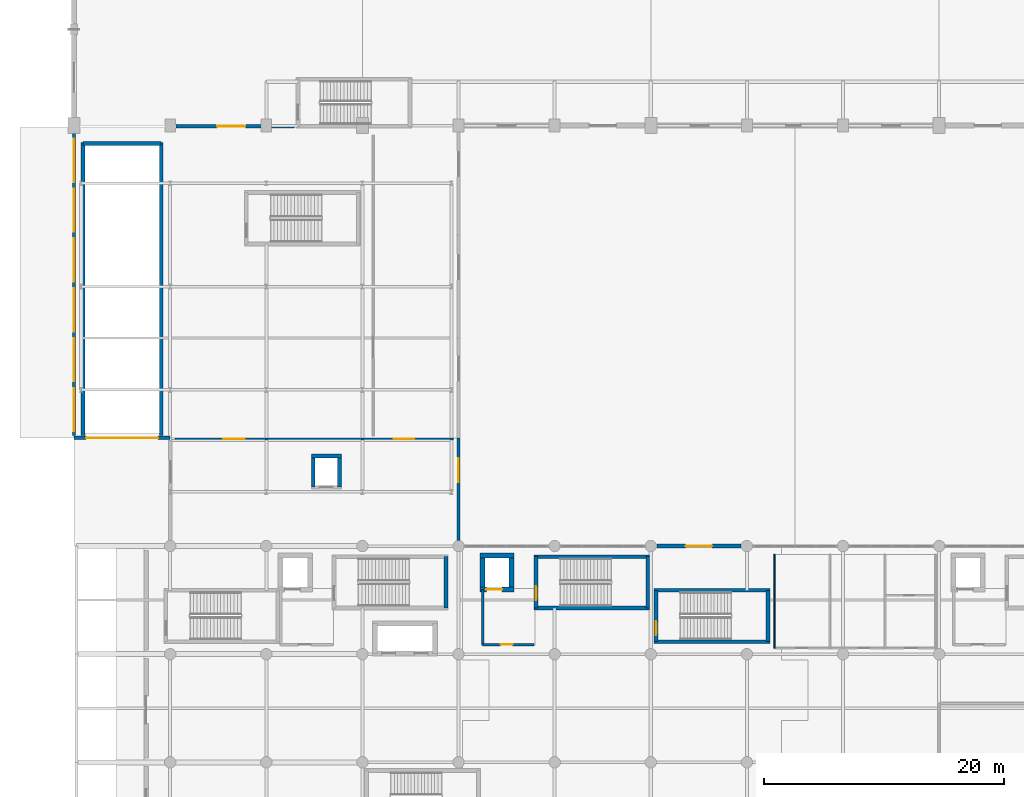
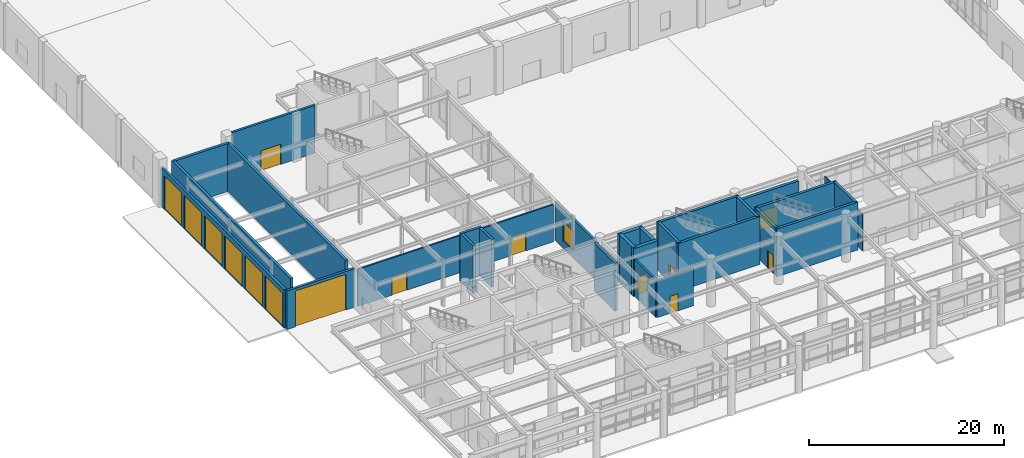
# One storey, part 29 of 49: 28 walls, 15 doors, 1 window, 16 openings.
"""IFC4 building model written with IfcOpenShell, lengths in metres."""

from ifc_helpers import new_model, si_unit, direction, frame, frame_2d, origin, place, context, subcontext, project, spatial, rectangle, extrude, material, layer, layer_set, type_object, element, fill, save


model = new_model("IFC4")

# Units and contexts
model_context = context("Model", 3, precision=1e-05, world=origin(), true_north=direction((0.0, 1.0)))
body_context = subcontext(model_context, "Body", "Model", "MODEL_VIEW")
ifc_project = project(units=[si_unit("LENGTHUNIT", "METRE"), si_unit("AREAUNIT", "SQUARE_METRE"), si_unit("VOLUMEUNIT", "CUBIC_METRE"), si_unit("PLANEANGLEUNIT", "RADIAN"), si_unit("MASSUNIT", "GRAM", prefix="KILO")], contexts=[model_context])

# Site, building, storey
site_placement = place(None, origin())
site = spatial("IfcSite", under=ifc_project, at=site_placement, CompositionType="ELEMENT")
building_placement = place(site_placement, origin())
building = spatial("IfcBuilding", under=site, at=building_placement, Name="Tlacozan Convention Centre", CompositionType="ELEMENT")
storey_placement = place(building_placement, origin())
storey = spatial("IfcBuildingStorey", under=building, at=storey_placement, Name="L00", CompositionType="ELEMENT", Elevation=0.0)

# Wall, opening, door
ifc_material_1 = material(Name="Concrete C40/50", Category="concrete")
ifc_layer_1 = layer(ifc_material_1, 0.260009765625)
ifc_layer_set_1 = layer_set([ifc_layer_1], Name="Concrete C40/50")
wall_type_1 = type_object("IfcWallType", Name="Compartment Rated Wall RC 260", PredefinedType="SOLIDWALL", material=ifc_layer_set_1)
wall_1_placement = place(storey_placement, frame((8.5, 61.93994140625, 0.0), z_axis=(0.0, 0.0, 1.0), x_axis=(1.0, 0.0, 0.0)))
wall_1 = element("IfcWall", 1, at=wall_1_placement, inside=storey, type_object=wall_type_1, Name="L00 Compartment Rated Wall RC 260 577", PredefinedType="SOLIDWALL", context=body_context, shape_type="SweptSolid", body=[
    extrude(rectangle(XDim=9.830078125, YDim=0.260009765625, at=frame_2d((4.9150390625, 0.0))), origin(), (0.0, 0.0, 1.0), 6.0),
])
opening_1_placement = place(wall_1_placement, frame((3.39990234375, 0.0, 0.0)))
opening_1 = element("IfcOpeningElement", 2, at=opening_1_placement, cuts=wall_1, Name="Opening FD-06", PredefinedType="OPENING", context=body_context, shape_type="SweptSolid", body=[
    extrude(rectangle(XDim=2.35009765625, YDim=2.550048828125, at=frame_2d((1.175048828125, 1.27490234375))), frame((0.0, 0.139892578125, 0.0), z_axis=(0.0, -1.0, 0.0), x_axis=(1.0, 0.0, 0.0)), (0.0, 0.0, 1.0), 0.280029296875),
])
ifc_material_2 = material(Name="Fire-Rated Insulated Steel Door Leaf", Category="steel")
door_type_1 = type_object("IfcDoorType", Name="Fire Door Hall Double 2350x2550 FD90", OperationType="DOUBLE_DOOR_SINGLE_SWING", PredefinedType="DOOR", material=ifc_material_2)
door_1_placement = place(opening_1_placement, origin())
door_1 = element("IfcDoor", 3, at=door_1_placement, inside=storey, type_object=door_type_1, Name="L00 Fire Door Hall Double 2350x2550 FD90 164", OperationType="DOUBLE_DOOR_SINGLE_SWING", OverallHeight=2.550048828125, OverallWidth=2.35009765625, PredefinedType="DOOR", context=body_context, shape_type="SweptSolid", body=[
    extrude(rectangle(XDim=2.35009765625, YDim=2.550048828125, at=frame_2d((1.175048828125, 1.27490234375))), frame((0.0, 0.02490234375, 0.0), z_axis=(0.0, -1.0, 0.0), x_axis=(1.0, 0.0, 0.0)), (0.0, 0.0, 1.0), 0.050048828125),
])
fill(opening_1, door_1)

ifc_layer_2 = layer(ifc_material_1, 0.409912109375)
ifc_layer_set_2 = layer_set([ifc_layer_2], Name="Concrete C40/50")
wall_type_2 = type_object("IfcWallType", Name="Core Shear Wall RC 410", PredefinedType="SHEAR", material=ifc_layer_set_2)
wall_2_placement = place(storey_placement, frame((33.77490234375, 23.3798828125, 0.0), z_axis=(0.0, 0.0, 1.0), x_axis=(1.0, 0.0, 0.0)))
wall_2 = element("IfcWall", 4, at=wall_2_placement, inside=storey, type_object=wall_type_2, Name="L00 Core Shear Wall RC 410 185", PredefinedType="SHEAR", context=body_context, shape_type="SweptSolid", body=[
    extrude(rectangle(XDim=2.85009765625, YDim=0.409912109375, at=frame_2d((1.425048828125, 0.0))), origin(), (0.0, 0.0, 1.0), 6.0),
])
opening_2_placement = place(wall_2_placement, frame((0.550048828125, 0.0, 0.0)))
opening_2 = element("IfcOpeningElement", 5, at=opening_2_placement, cuts=wall_2, Name="Opening LD-02", PredefinedType="OPENING", context=body_context, shape_type="SweptSolid", body=[
    extrude(rectangle(XDim=1.300048828125, YDim=2.25, at=frame_2d((0.64990234375, 1.125))), frame((0.0, 0.21484375, 0.0), z_axis=(0.0, -1.0, 0.0), x_axis=(1.0, 0.0, 0.0)), (0.0, 0.0, 1.0), 0.429931640625),
])
ifc_material_3 = material(Name="Brushed Stainless Steel Sliding Landing Door", Category="steel")
door_type_2 = type_object("IfcDoorType", Name="Firefighting Lift Sliding Door 1300x2250", OperationType="DOUBLE_DOOR_SLIDING", PredefinedType="DOOR", material=ifc_material_3)
door_2_placement = place(opening_2_placement, origin())
door_2 = element("IfcDoor", 6, at=door_2_placement, inside=storey, type_object=door_type_2, Name="L00 Firefighting Lift FL-03 Landing Door", OperationType="DOUBLE_DOOR_SLIDING", OverallHeight=2.25, OverallWidth=1.300048828125, PredefinedType="DOOR", context=body_context, shape_type="SweptSolid", body=[
    extrude(rectangle(XDim=1.300048828125, YDim=2.25, at=frame_2d((0.64990234375, 1.125))), frame((0.0, 0.02490234375, 0.0), z_axis=(0.0, -1.0, 0.0), x_axis=(1.0, 0.0, 0.0)), (0.0, 0.0, 1.0), 0.050048828125),
])
fill(opening_2, door_2)

# Walls
wall_3_placement = place(storey_placement, frame((33.77490234375, 26.219970703125, 0.0), z_axis=(0.0, 0.0, 1.0), x_axis=(1.0, 0.0, 0.0)))
element("IfcWall", 7, at=wall_3_placement, inside=storey, type_object=wall_type_2, Name="L00 Core Shear Wall RC 410 186", PredefinedType="SHEAR", context=body_context, shape_type="SweptSolid", body=[
    extrude(rectangle(XDim=2.85009765625, YDim=0.409912109375, at=frame_2d((1.425048828125, 0.0))), origin(), (0.0, 0.0, 1.0), 6.0),
])
for number, where, z_axis, x_axis, name in (
    (8, (33.97998046875, 23.3798828125, 0.0), (0.0, 0.0, 1.0), (0.0, 1.0, 0.0), "L00 Core Shear Wall RC 410 187"),
    (9, (36.419921875, 23.3798828125, 0.0), (0.0, 0.0, 1.0), (0.0, 1.0, 0.0), "L00 Core Shear Wall RC 410 188"),
):
    element("IfcWall", number, at=place(storey_placement, frame(where, z_axis=z_axis, x_axis=x_axis)), inside=storey, type_object=wall_type_2, Name=name, PredefinedType="SHEAR", context=body_context, shape_type="SweptSolid", body=[
        extrude(rectangle(XDim=2.840087890625, YDim=0.409912109375, at=frame_2d((1.419921875, 0.0))), origin(), (0.0, 0.0, 1.0), 6.0),
    ])

# Wall, openings, doors
ifc_material_4 = material(Name="Fire-Rated Gypsum Stud Partition Assembly")
ifc_layer_3 = layer(ifc_material_4, 0.179931640625)
ifc_layer_set_3 = layer_set([ifc_layer_3], Name="Fire-Rated Gypsum Stud Partition Assembly")
wall_type_3 = type_object("IfcWallType", Name="Corridor Rated Partition 180", PredefinedType="PARTITIONING", material=ifc_layer_set_3)
wall_4_placement = place(storey_placement, frame((8.39990234375, 35.89990234375, 0.0), z_axis=(0.0, 0.0, 1.0), x_axis=(1.0, 0.0, 0.0)))
wall_4 = element("IfcWall", 10, at=wall_4_placement, inside=storey, type_object=wall_type_3, Name="L00 Corridor Rated Partition 180 583", PredefinedType="PARTITIONING", context=body_context, shape_type="SweptSolid", body=[
    extrude(rectangle(XDim=23.2001953125, YDim=0.179931640625, at=frame_2d((11.60009765625, 0.0))), origin(), (0.0, 0.0, 1.0), 4.64990234375),
])
opening_3_placement = place(wall_4_placement, frame((4.0, 0.0, 0.0)))
opening_3 = element("IfcOpeningElement", 11, at=opening_3_placement, cuts=wall_4, Name="Opening FD-03", PredefinedType="OPENING", context=body_context, shape_type="SweptSolid", body=[
    extrude(rectangle(XDim=1.800048828125, YDim=2.25, at=frame_2d((0.89990234375, 1.125))), frame((0.0, 0.099853515625, 0.0), z_axis=(0.0, -1.0, 0.0), x_axis=(1.0, 0.0, 0.0)), (0.0, 0.0, 1.0), 0.199951171875),
])
opening_4_placement = place(wall_4_placement, frame((18.199951171875, 0.0, 0.0)))
opening_4 = element("IfcOpeningElement", 12, at=opening_4_placement, cuts=wall_4, Name="Opening ID-11", PredefinedType="OPENING", context=body_context, shape_type="SweptSolid", body=[
    extrude(rectangle(XDim=1.699951171875, YDim=2.25, at=frame_2d((0.85009765625, 1.125))), frame((0.0, 0.099853515625, 0.0), z_axis=(0.0, -1.0, 0.0), x_axis=(1.0, 0.0, 0.0)), (0.0, 0.0, 1.0), 0.199951171875),
])
ifc_material_5 = material(Name="Acoustic Solid-Core Oak Veneer Door")
door_type_3 = type_object("IfcDoorType", Name="Banquet Kitchen Double Swing Door 1700x2250", OperationType="DOUBLE_SWING_LEFT", PredefinedType="DOOR", material=ifc_material_5)
door_3_placement = place(opening_4_placement, origin())
door_3 = element("IfcDoor", 13, at=door_3_placement, inside=storey, type_object=door_type_3, Name="L00 Banquet Kitchen Double Swing Door 1700x2250 175", OperationType="DOUBLE_SWING_LEFT", OverallHeight=2.25, OverallWidth=1.699951171875, PredefinedType="DOOR", context=body_context, shape_type="SweptSolid", body=[
    extrude(rectangle(XDim=1.699951171875, YDim=2.25, at=frame_2d((0.85009765625, 1.125))), frame((0.0, 0.02490234375, 0.0), z_axis=(0.0, -1.0, 0.0), x_axis=(1.0, 0.0, 0.0)), (0.0, 0.0, 1.0), 0.050048828125),
])
fill(opening_4, door_3)
door_type_4 = type_object("IfcDoorType", Name="Fire Door Lobby Double 1800x2250 FD90", OperationType="DOUBLE_DOOR_SINGLE_SWING", PredefinedType="DOOR", material=ifc_material_2)
door_4_placement = place(opening_3_placement, origin())
door_4 = element("IfcDoor", 14, at=door_4_placement, inside=storey, type_object=door_type_4, Name="L00 Fire Door Lobby Double 1800x2250 FD90 174", OperationType="DOUBLE_DOOR_SINGLE_SWING", OverallHeight=2.25, OverallWidth=1.800048828125, PredefinedType="DOOR", context=body_context, shape_type="SweptSolid", body=[
    extrude(rectangle(XDim=1.800048828125, YDim=2.25, at=frame_2d((0.89990234375, 1.125))), frame((0.0, 0.02490234375, 0.0), z_axis=(0.0, -1.0, 0.0), x_axis=(1.0, 0.0, 0.0)), (0.0, 0.0, 1.0), 0.050048828125),
])
fill(opening_3, door_4)

# Wall, opening, door
ifc_material_6 = material(Name="Volcanic Cantera Stone Masonry", Category="masonry")
ifc_layer_4 = layer(ifc_material_6, 0.330078125)
ifc_layer_set_4 = layer_set([ifc_layer_4], Name="Volcanic Cantera Stone Masonry")
wall_type_4 = type_object("IfcWallType", Name="Courtyard Cantera Cloister Wall 330", PredefinedType="SOLIDWALL", material=ifc_layer_set_4)
wall_5_placement = place(storey_placement, frame((48.5, 27.0, 0.0), z_axis=(0.0, 0.0, 1.0), x_axis=(1.0, 0.0, 0.0)))
wall_5 = element("IfcWall", 15, at=wall_5_placement, inside=storey, type_object=wall_type_4, Name="L00 Courtyard Cantera Cloister Wall 330 108", PredefinedType="SOLIDWALL", context=body_context, shape_type="SweptSolid", body=[
    extrude(rectangle(XDim=7.0, YDim=0.330078125, at=frame_2d((3.5, 0.0))), origin(), (0.0, 0.0, 1.0), 4.699951171875),
])
opening_5_placement = place(wall_5_placement, frame((2.39990234375, 0.0, 0.0)))
opening_5 = element("IfcOpeningElement", 16, at=opening_5_placement, cuts=wall_5, Name="Opening EX-D4", PredefinedType="OPENING", context=body_context, shape_type="SweptSolid", body=[
    extrude(rectangle(XDim=2.199951171875, YDim=2.35009765625, at=frame_2d((1.10009765625, 1.175048828125))), frame((0.0, 0.175048828125, 0.0), z_axis=(0.0, -1.0, 0.0), x_axis=(1.0, 0.0, 0.0)), (0.0, 0.0, 1.0), 0.35009765625),
])
ifc_material_7 = material(Name="Thermally Broken Anodised Aluminium Door", Category="aluminium")
door_type_5 = type_object("IfcDoorType", Name="Courtyard Cloister Exit Door 2200x2350", OperationType="DOUBLE_DOOR_SINGLE_SWING", PredefinedType="DOOR", material=ifc_material_7)
door_5_placement = place(opening_5_placement, origin())
door_5 = element("IfcDoor", 17, at=door_5_placement, inside=storey, type_object=door_type_5, Name="Final Pedestrian Exit EX-26", OperationType="DOUBLE_DOOR_SINGLE_SWING", OverallHeight=2.35009765625, OverallWidth=2.199951171875, PredefinedType="DOOR", context=body_context, shape_type="SweptSolid", body=[
    extrude(rectangle(XDim=2.199951171875, YDim=2.35009765625, at=frame_2d((1.10009765625, 1.175048828125))), frame((0.0, 0.02490234375, 0.0), z_axis=(0.0, -1.0, 0.0), x_axis=(1.0, 0.0, 0.0)), (0.0, 0.0, 1.0), 0.050048828125),
])
fill(opening_5, door_5)

ifc_layer_5 = layer(ifc_material_4, 0.2099609375)
ifc_layer_set_5 = layer_set([ifc_layer_5], Name="Fire-Rated Gypsum Stud Partition Assembly")
wall_type_5 = type_object("IfcWallType", Name="Firefighting Lobby Rated Wall 210", PredefinedType="PARTITIONING", material=ifc_layer_set_5)
wall_6_placement = place(storey_placement, frame((34.0, 18.800048828125, 0.0), z_axis=(0.0, 0.0, 1.0), x_axis=(1.0, 0.0, 0.0)))
wall_6 = element("IfcWall", 18, at=wall_6_placement, inside=storey, type_object=wall_type_5, Name="L00 Firefighting Lobby Rated Wall 210 183", PredefinedType="PARTITIONING", context=body_context, shape_type="SweptSolid", body=[
    extrude(rectangle(XDim=4.300048828125, YDim=0.2099609375, at=frame_2d((2.14990234375, 0.0))), origin(), (0.0, 0.0, 1.0), 4.64990234375),
])
opening_6_placement = place(wall_6_placement, frame((1.5, 0.0, 0.0)))
opening_6 = element("IfcOpeningElement", 19, at=opening_6_placement, cuts=wall_6, Name="Opening FD-01", PredefinedType="OPENING", context=body_context, shape_type="SweptSolid", body=[
    extrude(rectangle(XDim=1.0, YDim=2.14990234375, at=frame_2d((0.5, 1.074951171875))), frame((0.0, 0.114990234375, 0.0), z_axis=(0.0, -1.0, 0.0), x_axis=(1.0, 0.0, 0.0)), (0.0, 0.0, 1.0), 0.22998046875),
])
door_type_6 = type_object("IfcDoorType", Name="Fire Door Single 1000x2150 FD90", OperationType="NOTDEFINED", PredefinedType="DOOR", material=ifc_material_2)
door_6_placement = place(opening_6_placement, origin())
door_6 = element("IfcDoor", 20, at=door_6_placement, inside=storey, type_object=door_type_6, Name="L00 CORE-3 Firefighting Lobby Entry Door", OperationType="SINGLE_SWING_RIGHT", OverallHeight=2.14990234375, OverallWidth=1.0, PredefinedType="DOOR", context=body_context, shape_type="SweptSolid", body=[
    extrude(rectangle(XDim=1.0, YDim=2.14990234375, at=frame_2d((0.5, 1.074951171875))), frame((0.0, 0.02490234375, 0.0), z_axis=(0.0, -1.0, 0.0), x_axis=(1.0, 0.0, 0.0)), (0.0, 0.0, 1.0), 0.050048828125),
])
fill(opening_6, door_6)

# Wall
wall_7_placement = place(storey_placement, frame((34.0, 18.800048828125, 0.0), z_axis=(0.0, 0.0, 1.0), x_axis=(0.0, 1.0, 0.0)))
element("IfcWall", 21, at=wall_7_placement, inside=storey, type_object=wall_type_5, Name="L00 Firefighting Lobby Rated Wall 210 184", PredefinedType="PARTITIONING", context=body_context, shape_type="SweptSolid", body=[
    extrude(rectangle(XDim=4.599853515625, YDim=0.2099609375, at=frame_2d((2.2998046875, 0.0))), origin(), (0.0, 0.0, 1.0), 4.64990234375),
])

# Wall, opening, door
ifc_material_8 = material(Name="Pale Lime-Render Masonry Assembly", Category="masonry")
ifc_layer_6 = layer(ifc_material_8, 0.280029296875)
ifc_layer_set_6 = layer_set([ifc_layer_6], Name="Pale Lime-Render Masonry Assembly")
wall_type_6 = type_object("IfcWallType", Name="Pale-Render Service Wing Wall 280", PredefinedType="SOLIDWALL", material=ifc_layer_set_6)
wall_8_placement = place(storey_placement, frame((0.0, 36.0, 0.0), z_axis=(0.0, 0.0, 1.0), x_axis=(1.0, 0.0, 0.0)))
wall_8 = element("IfcWall", 22, at=wall_8_placement, inside=storey, type_object=wall_type_6, Name="L00 Pale-Render Service Wing Wall 280 195", PredefinedType="SOLIDWALL", context=body_context, shape_type="SweptSolid", body=[
    extrude(rectangle(XDim=8.0, YDim=0.280029296875, at=frame_2d((4.0, 0.0))), origin(), (0.0, 0.0, 1.0), 4.85009765625),
])
opening_7_placement = place(wall_8_placement, frame((1.0, 0.0, 0.0)))
opening_7 = element("IfcOpeningElement", 23, at=opening_7_placement, cuts=wall_8, Name="Opening VG-01", PredefinedType="OPENING", context=body_context, shape_type="SweptSolid", body=[
    extrude(rectangle(XDim=6.0, YDim=4.5, at=frame_2d((3.0, 2.25))), frame((0.0, 0.14990234375, 0.0), z_axis=(0.0, -1.0, 0.0), x_axis=(1.0, 0.0, 0.0)), (0.0, 0.0, 1.0), 0.300048828125),
])
ifc_material_9 = material(Name="Insulated Galvanised Roller Shutter Leaf")
door_type_7 = type_object("IfcDoorType", Name="Vehicle Ramp Roller Shutter Gate 6000x4500", OperationType="ROLLINGUP", PredefinedType="GATE", material=ifc_material_9)
door_7_placement = place(opening_7_placement, frame((6.0, 0.0, 0.0), z_axis=(0.0, 0.0, 1.0), x_axis=(-1.0, 0.0, 0.0)))
door_7 = element("IfcDoor", 24, at=door_7_placement, inside=storey, type_object=door_type_7, Name="VG-01 Basement Car Park Roller Shutter Gate", OperationType="ROLLINGUP", OverallHeight=4.5, OverallWidth=6.0, PredefinedType="GATE", context=body_context, shape_type="SweptSolid", body=[
    extrude(rectangle(XDim=6.0, YDim=4.5, at=frame_2d((3.0, 2.25))), frame((0.0, 0.02490234375, 0.0), z_axis=(0.0, -1.0, 0.0), x_axis=(1.0, 0.0, 0.0)), (0.0, 0.0, 1.0), 0.050048828125),
])
fill(opening_7, door_7)

# Wall, openings, doors
wall_9_placement = place(storey_placement, frame((0.0, 36.199951171875, 0.0), z_axis=(0.0, 0.0, 1.0), x_axis=(0.0, 1.0, 0.0)))
wall_9 = element("IfcWall", 25, at=wall_9_placement, inside=storey, type_object=wall_type_6, Name="L00 Pale-Render Service Wing Wall 280 197", PredefinedType="SOLIDWALL", context=body_context, shape_type="SweptSolid", body=[
    extrude(rectangle(XDim=25.400146484375, YDim=0.280029296875, at=frame_2d((12.7001953125, 0.0))), origin(), (0.0, 0.0, 1.0), 4.85009765625),
])
opening_8_placement = place(wall_9_placement, frame((0.35009765625, 0.0, 0.0)))
opening_8 = element("IfcOpeningElement", 26, at=opening_8_placement, cuts=wall_9, Name="Opening DG-01", PredefinedType="OPENING", context=body_context, shape_type="SweptSolid", body=[
    extrude(rectangle(XDim=3.60009765625, YDim=4.199951171875, at=frame_2d((1.800048828125, 2.10009765625))), frame((0.0, 0.14990234375, 0.0), z_axis=(0.0, -1.0, 0.0), x_axis=(1.0, 0.0, 0.0)), (0.0, 0.0, 1.0), 0.300048828125),
])
opening_9_placement = place(wall_9_placement, frame((4.5, 0.0, 0.0)))
opening_9 = element("IfcOpeningElement", 27, at=opening_9_placement, cuts=wall_9, Name="Opening DG-01", PredefinedType="OPENING", context=body_context, shape_type="SweptSolid", body=[
    extrude(rectangle(XDim=3.60009765625, YDim=4.199951171875, at=frame_2d((1.800048828125, 2.10009765625))), frame((0.0, 0.14990234375, 0.0), z_axis=(0.0, -1.0, 0.0), x_axis=(1.0, 0.0, 0.0)), (0.0, 0.0, 1.0), 0.300048828125),
])
opening_10_placement = place(wall_9_placement, frame((8.64990234375, 0.0, 0.0)))
opening_10 = element("IfcOpeningElement", 28, at=opening_10_placement, cuts=wall_9, Name="Opening DG-01", PredefinedType="OPENING", context=body_context, shape_type="SweptSolid", body=[
    extrude(rectangle(XDim=3.60009765625, YDim=4.199951171875, at=frame_2d((1.800048828125, 2.10009765625))), frame((0.0, 0.14990234375, 0.0), z_axis=(0.0, -1.0, 0.0), x_axis=(1.0, 0.0, 0.0)), (0.0, 0.0, 1.0), 0.300048828125),
])
opening_11_placement = place(wall_9_placement, frame((12.800048828125, 0.0, 0.0)))
opening_11 = element("IfcOpeningElement", 29, at=opening_11_placement, cuts=wall_9, Name="Opening DG-01", PredefinedType="OPENING", context=body_context, shape_type="SweptSolid", body=[
    extrude(rectangle(XDim=3.60009765625, YDim=4.199951171875, at=frame_2d((1.800048828125, 2.10009765625))), frame((0.0, 0.14990234375, 0.0), z_axis=(0.0, -1.0, 0.0), x_axis=(1.0, 0.0, 0.0)), (0.0, 0.0, 1.0), 0.300048828125),
])
opening_12_placement = place(wall_9_placement, frame((16.949951171875, 0.0, 0.0)))
opening_12 = element("IfcOpeningElement", 30, at=opening_12_placement, cuts=wall_9, Name="Opening DG-01", PredefinedType="OPENING", context=body_context, shape_type="SweptSolid", body=[
    extrude(rectangle(XDim=3.60009765625, YDim=4.199951171875, at=frame_2d((1.800048828125, 2.10009765625))), frame((0.0, 0.14990234375, 0.0), z_axis=(0.0, -1.0, 0.0), x_axis=(1.0, 0.0, 0.0)), (0.0, 0.0, 1.0), 0.300048828125),
])
opening_13_placement = place(wall_9_placement, frame((21.10009765625, 0.0, 0.0)))
opening_13 = element("IfcOpeningElement", 31, at=opening_13_placement, cuts=wall_9, Name="Opening DG-01", PredefinedType="OPENING", context=body_context, shape_type="SweptSolid", body=[
    extrude(rectangle(XDim=3.60009765625, YDim=4.199951171875, at=frame_2d((1.800048828125, 2.10009765625))), frame((0.0, 0.14990234375, 0.0), z_axis=(0.0, -1.0, 0.0), x_axis=(1.0, 0.0, 0.0)), (0.0, 0.0, 1.0), 0.300048828125),
])
door_type_8 = type_object("IfcDoorType", Name="WB-67 Loading Dock Shutter Gate 3600x4200", OperationType="ROLLINGUP", PredefinedType="GATE", material=ifc_material_9)
door_8_placement = place(opening_8_placement, origin())
door_8 = element("IfcDoor", 32, at=door_8_placement, inside=storey, type_object=door_type_8, Name="WB-67 Freight Loading Dock Gate 1", OperationType="ROLLINGUP", OverallHeight=4.199951171875, OverallWidth=3.60009765625, PredefinedType="GATE", context=body_context, shape_type="SweptSolid", body=[
    extrude(rectangle(XDim=3.60009765625, YDim=4.199951171875, at=frame_2d((1.800048828125, 2.10009765625))), frame((0.0, 0.02490234375, 0.0), z_axis=(0.0, -1.0, 0.0), x_axis=(1.0, 0.0, 0.0)), (0.0, 0.0, 1.0), 0.050048828125),
])
fill(opening_8, door_8)
door_9_placement = place(opening_9_placement, origin())
door_9 = element("IfcDoor", 33, at=door_9_placement, inside=storey, type_object=door_type_8, Name="WB-67 Freight Loading Dock Gate 2", OperationType="ROLLINGUP", OverallHeight=4.199951171875, OverallWidth=3.60009765625, PredefinedType="GATE", context=body_context, shape_type="SweptSolid", body=[
    extrude(rectangle(XDim=3.60009765625, YDim=4.199951171875, at=frame_2d((1.800048828125, 2.10009765625))), frame((0.0, 0.02490234375, 0.0), z_axis=(0.0, -1.0, 0.0), x_axis=(1.0, 0.0, 0.0)), (0.0, 0.0, 1.0), 0.050048828125),
])
fill(opening_9, door_9)
door_10_placement = place(opening_10_placement, origin())
door_10 = element("IfcDoor", 34, at=door_10_placement, inside=storey, type_object=door_type_8, Name="WB-67 Freight Loading Dock Gate 3", OperationType="ROLLINGUP", OverallHeight=4.199951171875, OverallWidth=3.60009765625, PredefinedType="GATE", context=body_context, shape_type="SweptSolid", body=[
    extrude(rectangle(XDim=3.60009765625, YDim=4.199951171875, at=frame_2d((1.800048828125, 2.10009765625))), frame((0.0, 0.02490234375, 0.0), z_axis=(0.0, -1.0, 0.0), x_axis=(1.0, 0.0, 0.0)), (0.0, 0.0, 1.0), 0.050048828125),
])
fill(opening_10, door_10)
door_11_placement = place(opening_11_placement, origin())
door_11 = element("IfcDoor", 35, at=door_11_placement, inside=storey, type_object=door_type_8, Name="WB-67 Freight Loading Dock Gate 4", OperationType="ROLLINGUP", OverallHeight=4.199951171875, OverallWidth=3.60009765625, PredefinedType="GATE", context=body_context, shape_type="SweptSolid", body=[
    extrude(rectangle(XDim=3.60009765625, YDim=4.199951171875, at=frame_2d((1.800048828125, 2.10009765625))), frame((0.0, 0.02490234375, 0.0), z_axis=(0.0, -1.0, 0.0), x_axis=(1.0, 0.0, 0.0)), (0.0, 0.0, 1.0), 0.050048828125),
])
fill(opening_11, door_11)
door_12_placement = place(opening_12_placement, origin())
door_12 = element("IfcDoor", 36, at=door_12_placement, inside=storey, type_object=door_type_8, Name="WB-67 Freight Loading Dock Gate 5", OperationType="ROLLINGUP", OverallHeight=4.199951171875, OverallWidth=3.60009765625, PredefinedType="GATE", context=body_context, shape_type="SweptSolid", body=[
    extrude(rectangle(XDim=3.60009765625, YDim=4.199951171875, at=frame_2d((1.800048828125, 2.10009765625))), frame((0.0, 0.02490234375, 0.0), z_axis=(0.0, -1.0, 0.0), x_axis=(1.0, 0.0, 0.0)), (0.0, 0.0, 1.0), 0.050048828125),
])
fill(opening_12, door_12)
door_13_placement = place(opening_13_placement, origin())
door_13 = element("IfcDoor", 37, at=door_13_placement, inside=storey, type_object=door_type_8, Name="WB-67 Freight Loading Dock Gate 6", OperationType="ROLLINGUP", OverallHeight=4.199951171875, OverallWidth=3.60009765625, PredefinedType="GATE", context=body_context, shape_type="SweptSolid", body=[
    extrude(rectangle(XDim=3.60009765625, YDim=4.199951171875, at=frame_2d((1.800048828125, 2.10009765625))), frame((0.0, 0.02490234375, 0.0), z_axis=(0.0, -1.0, 0.0), x_axis=(1.0, 0.0, 0.0)), (0.0, 0.0, 1.0), 0.050048828125),
])
fill(opening_13, door_13)

# Wall, opening, window
wall_10_placement = place(storey_placement, frame((32.0, 27.449951171875, 0.0), z_axis=(0.0, 0.0, 1.0), x_axis=(0.0, 1.0, 0.0)))
wall_10 = element("IfcWall", 38, at=wall_10_placement, inside=storey, type_object=wall_type_6, Name="L00 Pale-Render Service Wing Wall 280 201", PredefinedType="SOLIDWALL", context=body_context, shape_type="SweptSolid", body=[
    extrude(rectangle(XDim=8.550048828125, YDim=0.280029296875, at=frame_2d((4.27490234375, 0.0))), origin(), (0.0, 0.0, 1.0), 4.85009765625),
])
opening_14_placement = place(wall_10_placement, frame((4.875, 0.0, 0.949951171875)))
opening_14 = element("IfcOpeningElement", 39, at=opening_14_placement, cuts=wall_10, Name="Opening WN-25", PredefinedType="OPENING", context=body_context, shape_type="SweptSolid", body=[
    extrude(rectangle(XDim=2.0, YDim=2.39990234375, at=frame_2d((1.0, 1.199951171875))), frame((0.0, 0.14990234375, 0.0), z_axis=(0.0, -1.0, 0.0), x_axis=(1.0, 0.0, 0.0)), (0.0, 0.0, 1.0), 0.300048828125),
])
ifc_material_10 = material(Name="Solar Control Double Low-E Argon Glazing", Category="glass")
window_type = type_object("IfcWindowType", Name="Ballroom Gallery Window 2000x2400", PartitioningType="SINGLE_PANEL", PredefinedType="WINDOW", material=ifc_material_10)
window_placement = place(opening_14_placement, origin())
window = element("IfcWindow", 40, at=window_placement, inside=storey, type_object=window_type, Name="L00 Ballroom Gallery Window 2000x2400 67", OverallHeight=2.39990234375, OverallWidth=2.0, PartitioningType="SINGLE_PANEL", PredefinedType="WINDOW", context=body_context, shape_type="SweptSolid", body=[
    extrude(rectangle(XDim=2.0, YDim=2.39990234375, at=frame_2d((1.0, 1.199951171875))), frame((0.0, 0.030029296875, 0.0), z_axis=(0.0, -1.0, 0.0), x_axis=(1.0, 0.0, 0.0)), (0.0, 0.0, 1.0), 0.06005859375),
])
fill(opening_14, window)

# Walls
ifc_material_11 = material(Name="Acoustic Double-Stud Partition Assembly")
ifc_layer_7 = layer(ifc_material_11, 0.1201171875)
ifc_layer_set_7 = layer_set([ifc_layer_7], Name="Acoustic Double-Stud Partition Assembly")
wall_type_7 = type_object("IfcWallType", Name="Sanitary Tile Partition 120", PredefinedType="PARTITIONING", material=ifc_layer_set_7)
wall_11_placement = place(storey_placement, frame((58.300048828125, 18.5, 0.0), z_axis=(0.0, 0.0, 1.0), x_axis=(0.0, 1.0, 0.0)))
element("IfcWall", 41, at=wall_11_placement, inside=storey, type_object=wall_type_7, Name="L00 Sanitary Tile Partition 120 532", PredefinedType="PARTITIONING", context=body_context, shape_type="SweptSolid", body=[
    extrude(rectangle(XDim=7.800048828125, YDim=0.1201171875, at=frame_2d((3.89990234375, 0.0))), origin(), (0.0, 0.0, 1.0), 4.64990234375),
])
ifc_layer_8 = layer(ifc_material_1, 0.31005859375)
ifc_layer_set_8 = layer_set([ifc_layer_8], Name="Concrete C40/50")
wall_type_8 = type_object("IfcWallType", Name="Stair Shaft Shear Wall RC 310", PredefinedType="SHEAR", material=ifc_layer_set_8)
wall_12_placement = place(storey_placement, frame((30.9599609375, 21.840087890625, 0.0), z_axis=(0.0, 0.0, 1.0), x_axis=(0.0, 1.0, 0.0)))
element("IfcWall", 42, at=wall_12_placement, inside=storey, type_object=wall_type_8, Name="L00 Stair Shaft Shear Wall RC 310 18", PredefinedType="SHEAR", context=body_context, shape_type="SweptSolid", body=[
    extrude(rectangle(XDim=4.280029296875, YDim=0.31005859375, at=frame_2d((2.14013671875, 0.0))), origin(), (0.0, 0.0, 1.0), 6.0),
])
for number, where, z_axis, x_axis, name in (
    (43, (38.284912109375, 21.840087890625, 0.0), (0.0, 0.0, 1.0), (1.0, 0.0, 0.0), "L00 Stair Shaft Shear Wall RC 310 179"),
    (44, (38.284912109375, 26.1201171875, 0.0), (0.0, 0.0, 1.0), (1.0, 0.0, 0.0), "L00 Stair Shaft Shear Wall RC 310 180"),
):
    element("IfcWall", number, at=place(storey_placement, frame(where, z_axis=z_axis, x_axis=x_axis)), inside=storey, type_object=wall_type_8, Name=name, PredefinedType="SHEAR", context=body_context, shape_type="SweptSolid", body=[
        extrude(rectangle(XDim=9.630126953125, YDim=0.31005859375, at=frame_2d((4.81494140625, 0.0))), origin(), (0.0, 0.0, 1.0), 6.0),
    ])

# Wall, opening, door
wall_13_placement = place(storey_placement, frame((38.43994140625, 21.840087890625, 0.0), z_axis=(0.0, 0.0, 1.0), x_axis=(0.0, 1.0, 0.0)))
wall_13 = element("IfcWall", 45, at=wall_13_placement, inside=storey, type_object=wall_type_8, Name="L00 Stair Shaft Shear Wall RC 310 181", PredefinedType="SHEAR", context=body_context, shape_type="SweptSolid", body=[
    extrude(rectangle(XDim=4.280029296875, YDim=0.31005859375, at=frame_2d((2.14013671875, 0.0))), origin(), (0.0, 0.0, 1.0), 6.0),
])
opening_15_placement = place(wall_13_placement, frame((0.64990234375, 0.0, 0.0)))
opening_15 = element("IfcOpeningElement", 46, at=opening_15_placement, cuts=wall_13, Name="Opening FD-02", PredefinedType="OPENING", context=body_context, shape_type="SweptSolid", body=[
    extrude(rectangle(XDim=1.14990234375, YDim=2.199951171875, at=frame_2d((0.574951171875, 1.10009765625))), frame((0.0, 0.1650390625, 0.0), z_axis=(0.0, -1.0, 0.0), x_axis=(1.0, 0.0, 0.0)), (0.0, 0.0, 1.0), 0.330078125),
])
door_type_9 = type_object("IfcDoorType", Name="Fire Door Stair 1150x2200 FD90", OperationType="NOTDEFINED", PredefinedType="DOOR", material=ifc_material_2)
door_14_placement = place(opening_15_placement, origin())
door_14 = element("IfcDoor", 47, at=door_14_placement, inside=storey, type_object=door_type_9, Name="L00 Stair ST-04 Fire Door", OperationType="SINGLE_SWING_LEFT", OverallHeight=2.199951171875, OverallWidth=1.14990234375, PredefinedType="DOOR", context=body_context, shape_type="SweptSolid", body=[
    extrude(rectangle(XDim=1.14990234375, YDim=2.199951171875, at=frame_2d((0.574951171875, 1.10009765625))), frame((0.0, 0.02490234375, 0.0), z_axis=(0.0, -1.0, 0.0), x_axis=(1.0, 0.0, 0.0)), (0.0, 0.0, 1.0), 0.050048828125),
])
fill(opening_15, door_14)

# Walls
wall_14_placement = place(storey_placement, frame((47.760009765625, 21.840087890625, 0.0), z_axis=(0.0, 0.0, 1.0), x_axis=(0.0, 1.0, 0.0)))
element("IfcWall", 48, at=wall_14_placement, inside=storey, type_object=wall_type_8, Name="L00 Stair Shaft Shear Wall RC 310 182", PredefinedType="SHEAR", context=body_context, shape_type="SweptSolid", body=[
    extrude(rectangle(XDim=4.280029296875, YDim=0.31005859375, at=frame_2d((2.14013671875, 0.0))), origin(), (0.0, 0.0, 1.0), 6.0),
])
for number, where, z_axis, x_axis, name in (
    (49, (48.284912109375, 19.0400390625, 0.0), (0.0, 0.0, 1.0), (1.0, 0.0, 0.0), "L00 Stair Shaft Shear Wall RC 310 313"),
    (50, (48.284912109375, 23.320068359375, 0.0), (0.0, 0.0, 1.0), (1.0, 0.0, 0.0), "L00 Stair Shaft Shear Wall RC 310 314"),
):
    element("IfcWall", number, at=place(storey_placement, frame(where, z_axis=z_axis, x_axis=x_axis)), inside=storey, type_object=wall_type_8, Name=name, PredefinedType="SHEAR", context=body_context, shape_type="SweptSolid", body=[
        extrude(rectangle(XDim=9.630126953125, YDim=0.31005859375, at=frame_2d((4.81494140625, 0.0))), origin(), (0.0, 0.0, 1.0), 6.0),
    ])

# Wall, opening, door
wall_15_placement = place(storey_placement, frame((48.43994140625, 19.0400390625, 0.0), z_axis=(0.0, 0.0, 1.0), x_axis=(0.0, 1.0, 0.0)))
wall_15 = element("IfcWall", 51, at=wall_15_placement, inside=storey, type_object=wall_type_8, Name="L00 Stair Shaft Shear Wall RC 310 315", PredefinedType="SHEAR", context=body_context, shape_type="SweptSolid", body=[
    extrude(rectangle(XDim=4.280029296875, YDim=0.31005859375, at=frame_2d((2.14013671875, 0.0))), origin(), (0.0, 0.0, 1.0), 6.0),
])
opening_16_placement = place(wall_15_placement, frame((0.550048828125, 0.0, 0.0)))
opening_16 = element("IfcOpeningElement", 52, at=opening_16_placement, cuts=wall_15, Name="Opening FD-02", PredefinedType="OPENING", context=body_context, shape_type="SweptSolid", body=[
    extrude(rectangle(XDim=1.14990234375, YDim=2.199951171875, at=frame_2d((0.574951171875, 1.10009765625))), frame((0.0, 0.1650390625, 0.0), z_axis=(0.0, -1.0, 0.0), x_axis=(1.0, 0.0, 0.0)), (0.0, 0.0, 1.0), 0.330078125),
])
door_15_placement = place(opening_16_placement, origin())
door_15 = element("IfcDoor", 53, at=door_15_placement, inside=storey, type_object=door_type_9, Name="L00 Stair ST-14 Access Door", OperationType="SINGLE_SWING_LEFT", OverallHeight=2.199951171875, OverallWidth=1.14990234375, PredefinedType="DOOR", context=body_context, shape_type="SweptSolid", body=[
    extrude(rectangle(XDim=1.14990234375, YDim=2.199951171875, at=frame_2d((0.574951171875, 1.10009765625))), frame((0.0, 0.02490234375, 0.0), z_axis=(0.0, -1.0, 0.0), x_axis=(1.0, 0.0, 0.0)), (0.0, 0.0, 1.0), 0.050048828125),
])
fill(opening_16, door_15)

# Walls
wall_16_placement = place(storey_placement, frame((57.760009765625, 19.0400390625, 0.0), z_axis=(0.0, 0.0, 1.0), x_axis=(0.0, 1.0, 0.0)))
element("IfcWall", 54, at=wall_16_placement, inside=storey, type_object=wall_type_8, Name="L00 Stair Shaft Shear Wall RC 310 316", PredefinedType="SHEAR", context=body_context, shape_type="SweptSolid", body=[
    extrude(rectangle(XDim=4.280029296875, YDim=0.31005859375, at=frame_2d((2.14013671875, 0.0))), origin(), (0.0, 0.0, 1.0), 6.0),
])
wall_17_placement = place(storey_placement, frame((19.7451171875, 34.5, 0.0), z_axis=(0.0, 0.0, 1.0), x_axis=(1.0, 0.0, 0.0)))
element("IfcWall", 55, at=wall_17_placement, inside=storey, type_object=wall_type_8, Name="L00 Stair Shaft Shear Wall RC 310 518", PredefinedType="SHEAR", context=body_context, shape_type="SweptSolid", body=[
    extrude(rectangle(XDim=2.509765625, YDim=0.31005859375, at=frame_2d((1.2548828125, 0.0))), origin(), (0.0, 0.0, 1.0), 6.0),
])
for number, where, z_axis, x_axis, name in (
    (56, (19.89990234375, 31.89990234375, 0.0), (0.0, 0.0, 1.0), (0.0, 1.0, 0.0), "L00 Stair Shaft Shear Wall RC 310 519"),
    (57, (22.10009765625, 31.89990234375, 0.0), (0.0, 0.0, 1.0), (0.0, 1.0, 0.0), "L00 Stair Shaft Shear Wall RC 310 520"),
):
    element("IfcWall", number, at=place(storey_placement, frame(where, z_axis=z_axis, x_axis=x_axis)), inside=storey, type_object=wall_type_8, Name=name, PredefinedType="SHEAR", context=body_context, shape_type="SweptSolid", body=[
        extrude(rectangle(XDim=2.60009765625, YDim=0.31005859375, at=frame_2d((1.300048828125, 0.0))), origin(), (0.0, 0.0, 1.0), 6.0),
    ])
for number, where, z_axis, x_axis, name in (
    (58, (7.25, 36.199951171875, 0.0), (0.0, 0.0, 1.0), (0.0, 1.0, 0.0), "L00 Stair Shaft Shear Wall RC 310 634"),
    (59, (0.75, 36.199951171875, 0.0), (0.0, 0.0, 1.0), (0.0, 1.0, 0.0), "L00 Stair Shaft Shear Wall RC 310 635"),
):
    element("IfcWall", number, at=place(storey_placement, frame(where, z_axis=z_axis, x_axis=x_axis)), inside=storey, type_object=wall_type_8, Name=name, PredefinedType="SHEAR", context=body_context, shape_type="SweptSolid", body=[
        extrude(rectangle(XDim=24.400146484375, YDim=0.31005859375, at=frame_2d((12.2001953125, 0.0))), origin(), (0.0, 0.0, 1.0), 6.0),
    ])
wall_18_placement = place(storey_placement, frame((0.75, 60.5, 0.0), z_axis=(0.0, 0.0, 1.0), x_axis=(1.0, 0.0, 0.0)))
element("IfcWall", 60, at=wall_18_placement, inside=storey, type_object=wall_type_8, Name="L00 Stair Shaft Shear Wall RC 310 636", PredefinedType="SHEAR", context=body_context, shape_type="SweptSolid", body=[
    extrude(rectangle(XDim=6.5, YDim=0.31005859375, at=frame_2d((3.25, 0.0))), origin(), (0.0, 0.0, 1.0), 6.0),
])

save(model, "model.ifc")
